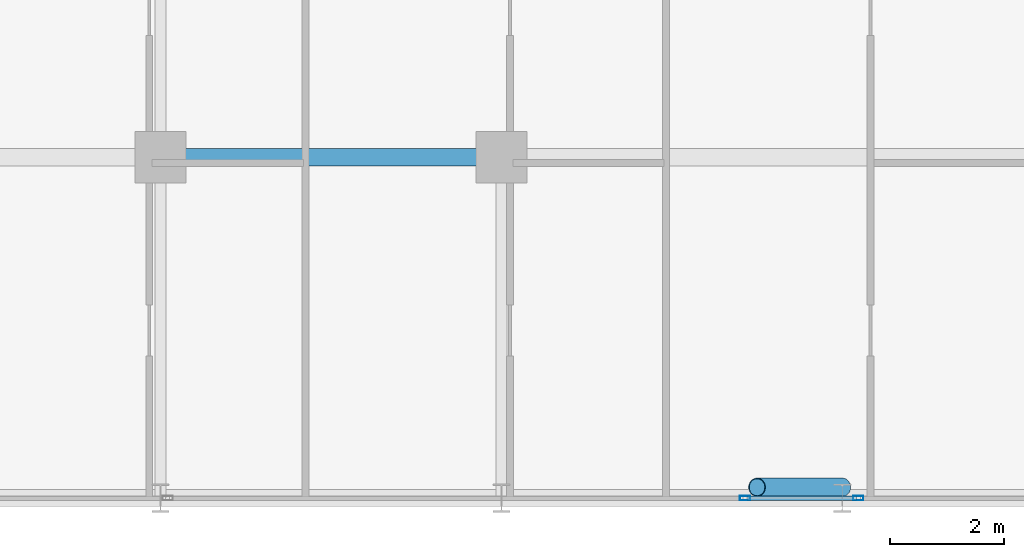
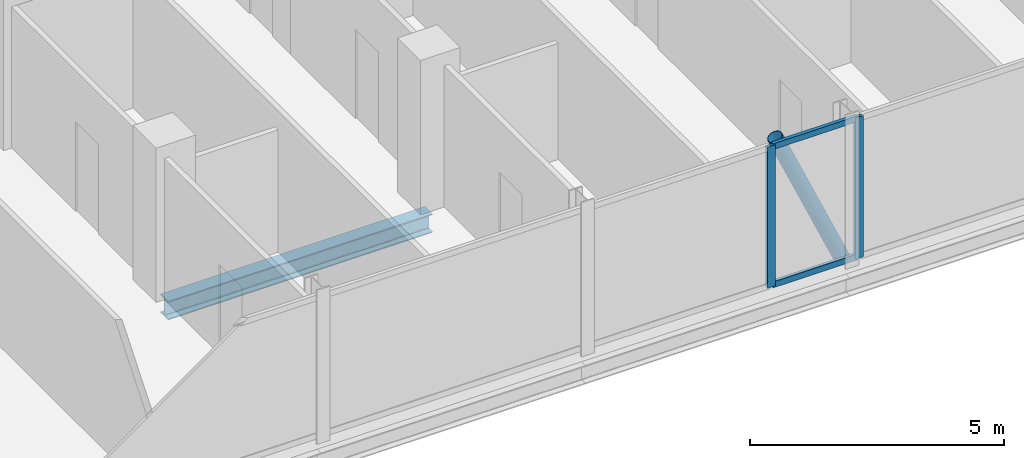
# One storey, part 9 of 32: 5 members, 1 beam, 2 elements without a shape of their own.
"""IFC4 building model written with IfcOpenShell, lengths in metres."""

from ifc_helpers import new_model, si_unit, direction, frame, origin, origin_2d, place, context, subcontext, project, spatial, hollow_rectangle, hollow_circle, i_section, extrude, material, layer, layer_set, material_profile, profile_set, type_object, element, aggregate, save


model = new_model("IFC4")

# Units and contexts
model_context = context("Model", 3, precision=1e-05, world=origin(), true_north=direction((0.0, 1.0)))
body_context = subcontext(model_context, "Body", "Model", "MODEL_VIEW")
ifc_project = project(units=[si_unit("LENGTHUNIT", "METRE"), si_unit("AREAUNIT", "SQUARE_METRE"), si_unit("VOLUMEUNIT", "CUBIC_METRE"), si_unit("PLANEANGLEUNIT", "RADIAN"), si_unit("MASSUNIT", "GRAM", prefix="KILO")], contexts=[model_context])

# Site, building, storey
site_placement = place(None, origin())
site = spatial("IfcSite", under=ifc_project, at=site_placement, CompositionType="ELEMENT")
building_placement = place(site_placement, origin())
building = spatial("IfcBuilding", under=site, at=building_placement, Name="Keshet Zoharim Tower", CompositionType="ELEMENT")
storey_placement = place(building_placement, frame((0.0, 0.0, 152.0)))
storey = spatial("IfcBuildingStorey", under=building, at=storey_placement, Name="L37", CompositionType="ELEMENT", Elevation=152.0)

# Beam
ifc_material_1 = material(Name="Steel S355", Category="steel")
ifc_material_profile_1 = material_profile(ifc_material_1, i_section(OverallWidth=0.300048828125, OverallDepth=0.449951171875, WebThickness=0.013916015625, FlangeThickness=0.02587890625, FilletRadius=0.027099609375, at=origin_2d()), Name="HEB450")
ifc_profile_set_1 = profile_set([ifc_material_profile_1], Name="Steel S355")
beam_type = type_object("IfcBeamType", Name="BM-WEB-HB450", PredefinedType="BEAM", material=ifc_profile_set_1)
beam_placement = place(storey_placement, frame((33.0, 6.699951171875, -0.5400390625), z_axis=(1.0, 0.0, 0.0), x_axis=(0.0, 1.0, 0.0)))
element("IfcBeam", 1, at=beam_placement, inside=storey, type_object=beam_type, Name="L37 Primary Girder X-007", PredefinedType="BEAM", context=body_context, shape_type="SweptSolid", body=[
    extrude(i_section(OverallWidth=0.300048828125, OverallDepth=0.449951171875, WebThickness=0.013916015625, FlangeThickness=0.02587890625, FilletRadius=0.027099609375, at=origin_2d()), origin(), (0.0, 0.0, 1.0), 6.0),
])

# Curtain wall, member
ifc_material_2 = material(Name="Aluminium 6063-T6", Category="aluminium")
ifc_layer = layer(ifc_material_2, 0.159912109375)
ifc_layer_set = layer_set([ifc_layer], Name="Aluminium 6063-T6")
curtain_wall_type = type_object("IfcCurtainWallType", Name="CW-SYS-03", PredefinedType="NOTDEFINED", material=ifc_layer_set)
curtain_wall_1_placement = place(storey_placement, origin())
curtain_wall_1 = element("IfcCurtainWall", 2, at=curtain_wall_1_placement, inside=storey, type_object=curtain_wall_type, Name="L37 Unitised Curtain Wall 03", PredefinedType="NOTDEFINED")
ifc_material_profile_2 = material_profile(ifc_material_2, hollow_rectangle(XDim=0.080078125, YDim=0.179931640625, WallThickness=0.00439453125, at=origin_2d()), Name="MUL-80x180")
ifc_profile_set_2 = profile_set([ifc_material_profile_2], Name="Aluminium 6063-T6")
member_type_1 = type_object("IfcMemberType", Name="CWM-M18", PredefinedType="MULLION", material=ifc_profile_set_2)
member_1_placement = place(storey_placement, frame((45.283203125, 0.699951171875, 0.0), z_axis=(0.0, 0.0, 1.0), x_axis=(0.0, -1.0, 0.0)))
member_1 = element("IfcMember", 3, at=member_1_placement, type_object=member_type_1, Name="CW-03 mullion 2", PredefinedType="MULLION", context=body_context, shape_type="SweptSolid", body=[
    extrude(hollow_rectangle(XDim=0.080078125, YDim=0.179931640625, WallThickness=0.00439453125, at=origin_2d()), origin(), (0.0, 0.0, 1.0), 3.385009765625),
])
aggregate(curtain_wall_1, [member_1])

# Curtain wall, members
curtain_wall_2_placement = place(storey_placement, origin())
curtain_wall_2 = element("IfcCurtainWall", 4, at=curtain_wall_2_placement, inside=storey, type_object=curtain_wall_type, Name="L37 Unitised Curtain Wall 03 Part 2", PredefinedType="NOTDEFINED")
member_2_placement = place(storey_placement, frame((43.286865234375, 0.699951171875, 0.0), z_axis=(0.0, 0.0, 1.0), x_axis=(0.0, -1.0, 0.0)))
member_2 = element("IfcMember", 5, at=member_2_placement, type_object=member_type_1, Name="CW-03 mullion 2", PredefinedType="MULLION", context=body_context, shape_type="SweptSolid", body=[
    extrude(hollow_rectangle(XDim=0.080078125, YDim=0.179931640625, WallThickness=0.00439453125, at=origin_2d()), origin(), (0.0, 0.0, 1.0), 3.385009765625),
])
ifc_material_profile_3 = material_profile(ifc_material_2, hollow_rectangle(XDim=0.080078125, YDim=0.139892578125, WallThickness=0.00390625, at=origin_2d()), Name="TRN-80x140")
ifc_profile_set_3 = profile_set([ifc_material_profile_3], Name="Aluminium 6063-T6")
member_type_2 = type_object("IfcMemberType", Name="CWT-T14", PredefinedType="USERDEFINED", material=ifc_profile_set_3)
member_3_placement = place(storey_placement, frame((45.248046875, 0.699951171875, 0.034912109375), z_axis=(-1.0, 0.0, 0.0), x_axis=(0.0, -1.0, 0.0)))
member_3 = element("IfcMember", 6, at=member_3_placement, type_object=member_type_2, Name="CW-03 transom 1.1", ObjectType="TRANSOM", PredefinedType="USERDEFINED", context=body_context, shape_type="SweptSolid", body=[
    extrude(hollow_rectangle(XDim=0.080078125, YDim=0.139892578125, WallThickness=0.00390625, at=origin_2d()), origin(), (0.0, 0.0, 1.0), 1.926025390625),
])
member_4_placement = place(storey_placement, frame((45.248046875, 0.699951171875, 3.35009765625), z_axis=(-1.0, 0.0, 0.0), x_axis=(0.0, -1.0, 0.0)))
member_4 = element("IfcMember", 7, at=member_4_placement, type_object=member_type_2, Name="CW-03 transom 1.2", ObjectType="TRANSOM", PredefinedType="USERDEFINED", context=body_context, shape_type="SweptSolid", body=[
    extrude(hollow_rectangle(XDim=0.080078125, YDim=0.139892578125, WallThickness=0.00390625, at=origin_2d()), origin(), (0.0, 0.0, 1.0), 1.926025390625),
])
aggregate(curtain_wall_2, [member_2, member_3, member_4])

# Member
ifc_material_profile_4 = material_profile(ifc_material_1, hollow_circle(Radius=0.161865234375, WallThickness=0.012451171875, at=origin_2d()), Name="CHS323x12.5")
ifc_profile_set_4 = profile_set([ifc_material_profile_4], Name="Steel S355")
member_type_3 = type_object("IfcMemberType", Name="MB-BR-C323", PredefinedType="BRACE", material=ifc_profile_set_4)
member_5_placement = place(storey_placement, frame((45.0, 0.889892578125, 0.0), z_axis=(-0.405134846829, 0.0, 0.91425694194), x_axis=(0.0, -1.0, 0.0)))
element("IfcMember", 8, at=member_5_placement, inside=storey, type_object=member_type_3, Name="L37 Perimeter Tube Brace 03", PredefinedType="BRACE", context=body_context, shape_type="SweptSolid", body=[
    extrude(hollow_circle(Radius=0.161865234375, WallThickness=0.012451171875, at=origin_2d()), origin(), (0.0, 0.0, 1.0), 3.702392578125),
])

save(model, "model.ifc")
